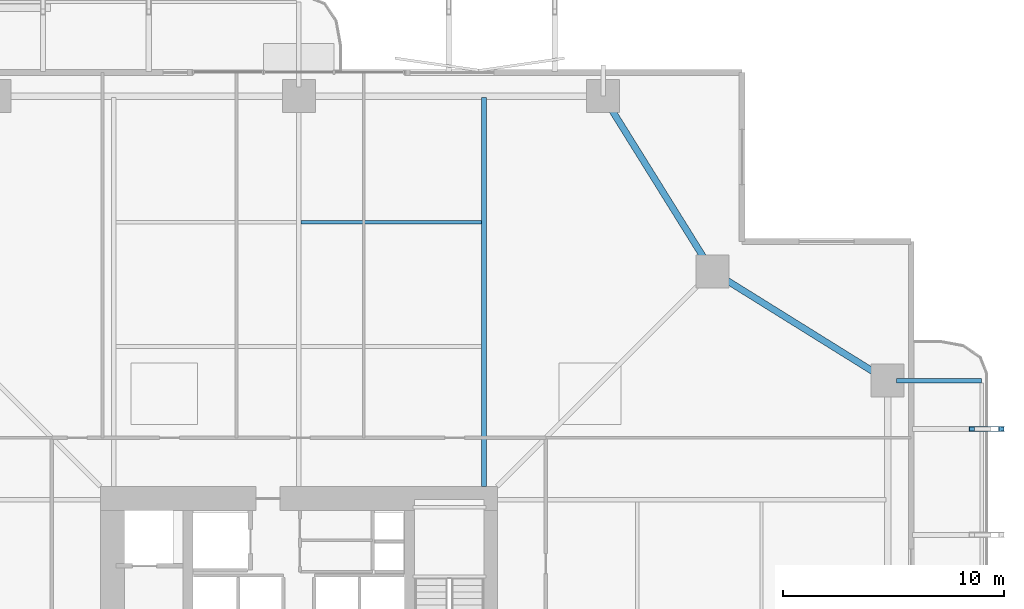
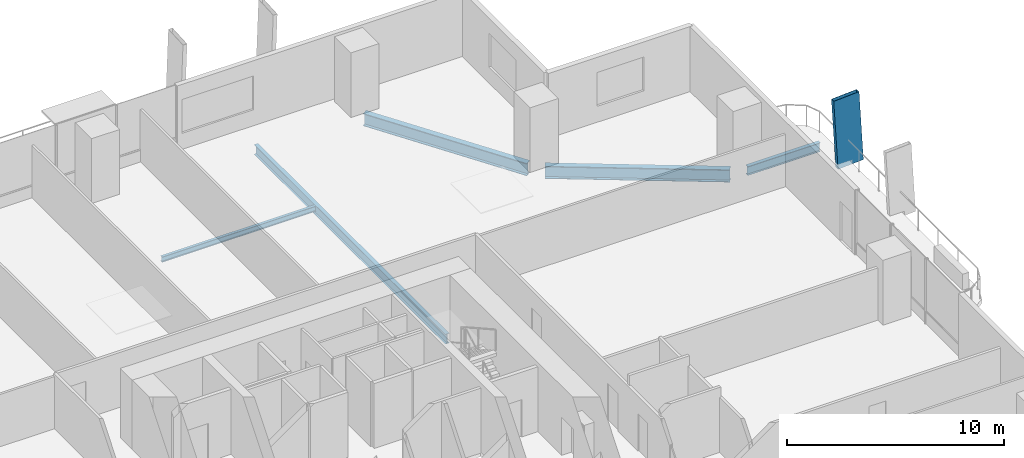
# One storey, part 14 of 24: 5 beams, 1 member.
"""IFC4 building model written with IfcOpenShell, lengths in metres."""

from ifc_helpers import new_model, si_unit, direction, frame, origin, origin_2d, place, context, subcontext, project, spatial, hollow_rectangle, i_section, extrude, material, material_profile, profile_set, type_object, element, save


model = new_model("IFC4")

# Units and contexts
model_context = context("Model", 3, precision=1e-05, world=origin(), true_north=direction((0.0, 1.0)))
body_context = subcontext(model_context, "Body", "Model", "MODEL_VIEW")
ifc_project = project(units=[si_unit("LENGTHUNIT", "METRE"), si_unit("AREAUNIT", "SQUARE_METRE"), si_unit("VOLUMEUNIT", "CUBIC_METRE"), si_unit("PLANEANGLEUNIT", "RADIAN"), si_unit("MASSUNIT", "GRAM", prefix="KILO")], contexts=[model_context])

# Site, building, storey
site_placement = place(None, origin())
site = spatial("IfcSite", under=ifc_project, at=site_placement, CompositionType="ELEMENT")
building_placement = place(site_placement, origin())
building = spatial("IfcBuilding", under=site, at=building_placement, Name="Belovzor Exchange Tower", CompositionType="ELEMENT")
storey_placement = place(building_placement, frame((0.0, 0.0, 33.89990234375)))
storey = spatial("IfcBuildingStorey", under=building, at=storey_placement, Name="L07", CompositionType="ELEMENT", Elevation=33.89990234375)

# Member
ifc_material_1 = material(Name="Extruded Architectural Terracotta on Steel S355 Carrier", Category="masonry")
ifc_material_profile_1 = material_profile(ifc_material_1, hollow_rectangle(XDim=0.219970703125, YDim=1.35009765625, WallThickness=0.013916015625, at=origin_2d()))
ifc_profile_set_1 = profile_set([ifc_material_profile_1], Name="Extruded Architectural Terracotta on Steel S355 Carrier")
member_type = type_object("IfcMemberType", Name="Base Arc Sweeping Terracotta Pylon Fin 1450", PredefinedType="USERDEFINED", material=ifc_profile_set_1)
member_placement = place(storey_placement, frame((60.10400390625, 40.39990234375, -0.25), z_axis=(-0.059113970154, 0.0, 0.998251240186), x_axis=(0.0, -1.0, 0.0)))
element("IfcMember", 1, at=member_placement, inside=storey, type_object=member_type, Name="FIN-TC145 Terracotta Facade Fin L07 E4", ObjectType="FIN", PredefinedType="USERDEFINED", context=body_context, shape_type="SweptSolid", body=[
    extrude(hollow_rectangle(XDim=0.219970703125, YDim=1.35009765625, WallThickness=0.013916015625, at=origin_2d()), origin(), (0.0, 0.0, 1.0), 3.906982421875),
])

# Beams
ifc_material_2 = material(Name="Steel S355", Category="steel")
ifc_material_profile_2 = material_profile(ifc_material_2, i_section(OverallWidth=0.199951171875, OverallDepth=0.5, WebThickness=0.01025390625, FlangeThickness=0.01611328125, at=origin_2d()))
ifc_profile_set_2 = profile_set([ifc_material_profile_2], Name="Steel S355")
beam_type_1 = type_object("IfcBeamType", Name="Planted Balcony Cantilever Beam IPE 500", PredefinedType="BEAM", material=ifc_profile_set_2)
beam_1_placement = place(storey_placement, frame((55.9130859375, 42.60009765625, -0.5), z_axis=(1.0, 0.0, 0.0), x_axis=(0.0, 1.0, 0.0)))
element("IfcBeam", 2, at=beam_1_placement, inside=storey, type_object=beam_type_1, Name="BC-500 Planted Balcony Cantilever Beam IPE 500", PredefinedType="BEAM", context=body_context, shape_type="SweptSolid", body=[
    extrude(i_section(OverallWidth=0.199951171875, OverallDepth=0.5, WebThickness=0.01025390625, FlangeThickness=0.01611328125, at=origin_2d()), origin(), (0.0, 0.0, 1.0), 3.849853515625),
])
ifc_material_3 = material(Name="Steel S355", Category="steel")
ifc_material_profile_3 = material_profile(ifc_material_3, i_section(OverallWidth=0.14990234375, OverallDepth=0.300048828125, WebThickness=0.007080078125, FlangeThickness=0.0107421875, at=origin_2d()))
ifc_profile_set_3 = profile_set([ifc_material_profile_3], Name="Steel S355")
beam_type_2 = type_object("IfcBeamType", Name="Secondary Trim Floor Joist IPE 300", PredefinedType="BEAM", material=ifc_profile_set_3)
beam_2_placement = place(storey_placement, frame((28.905029296875, 49.784912109375, -0.39990234375), z_axis=(1.0, 0.0, 0.0), x_axis=(0.0, 1.0, 0.0)))
element("IfcBeam", 3, at=beam_2_placement, inside=storey, type_object=beam_type_2, Name="FJ-300 Secondary Trim Floor Joist IPE 300", PredefinedType="BEAM", context=body_context, shape_type="SweptSolid", body=[
    extrude(i_section(OverallWidth=0.14990234375, OverallDepth=0.300048828125, WebThickness=0.007080078125, FlangeThickness=0.0107421875, at=origin_2d()), origin(), (0.0, 0.0, 1.0), 8.18994140625),
])
ifc_material_4 = material(Name="Steel S355", Category="steel")
ifc_material_profile_4 = material_profile(ifc_material_4, i_section(OverallWidth=0.300048828125, OverallDepth=0.699951171875, WebThickness=0.01708984375, FlangeThickness=0.031982421875, at=origin_2d()))
ifc_profile_set_4 = profile_set([ifc_material_profile_4], Name="Steel S355")
beam_type_3 = type_object("IfcBeamType", Name="Zone 1 Primary Perimeter Girder HEB 700", PredefinedType="BEAM", material=ifc_profile_set_4)
for number, where, z_axis, x_axis, name in (
    (4, (55.14990234375, 42.818115234375, -0.599853515625), (-0.848909251292, 0.528538629686, 0.0), (-0.528538629686, -0.848909251292, 0.0), "FG-Z1 Zone 1 Primary Perimeter Girder HEB 700"),
    (5, (47.33203125, 47.89990234375, -0.599853515625), (-0.528538629686, 0.848909251292, 0.0), (-0.848909251292, -0.528538629686, 0.0), "FG-Z1 Zone 1 Primary Perimeter Girder HEB 700"),
):
    element("IfcBeam", number, at=place(storey_placement, frame(where, z_axis=z_axis, x_axis=x_axis)), inside=storey, type_object=beam_type_3, Name=name, PredefinedType="BEAM", context=body_context, shape_type="SweptSolid", body=[
        extrude(i_section(OverallWidth=0.300048828125, OverallDepth=0.699951171875, WebThickness=0.01708984375, FlangeThickness=0.031982421875, at=origin_2d()), origin(), (0.0, 0.0, 1.0), 8.540283203125),
    ])
ifc_material_5 = material(Name="Steel S355", Category="steel")
ifc_material_profile_5 = material_profile(ifc_material_5, i_section(OverallWidth=0.2099609375, OverallDepth=0.550048828125, WebThickness=0.010986328125, FlangeThickness=0.01708984375, at=origin_2d()))
ifc_profile_set_5 = profile_set([ifc_material_profile_5], Name="Steel S355")
beam_type_4 = type_object("IfcBeamType", Name="Zone 1 Radial Composite Floor Beam IPE 550", PredefinedType="BEAM", material=ifc_profile_set_5)
beam_3_placement = place(storey_placement, frame((37.199951171875, 37.800048828125, -0.52490234375), z_axis=(0.0, 1.0, 0.0), x_axis=(-1.0, 0.0, 0.0)))
element("IfcBeam", 6, at=beam_3_placement, inside=storey, type_object=beam_type_4, Name="FB-550 Zone 1 Radial Composite Floor Beam IPE 550", PredefinedType="BEAM", context=body_context, shape_type="SweptSolid", body=[
    extrude(i_section(OverallWidth=0.2099609375, OverallDepth=0.550048828125, WebThickness=0.010986328125, FlangeThickness=0.01708984375, at=origin_2d()), origin(), (0.0, 0.0, 1.0), 17.625),
])

save(model, "model.ifc")
